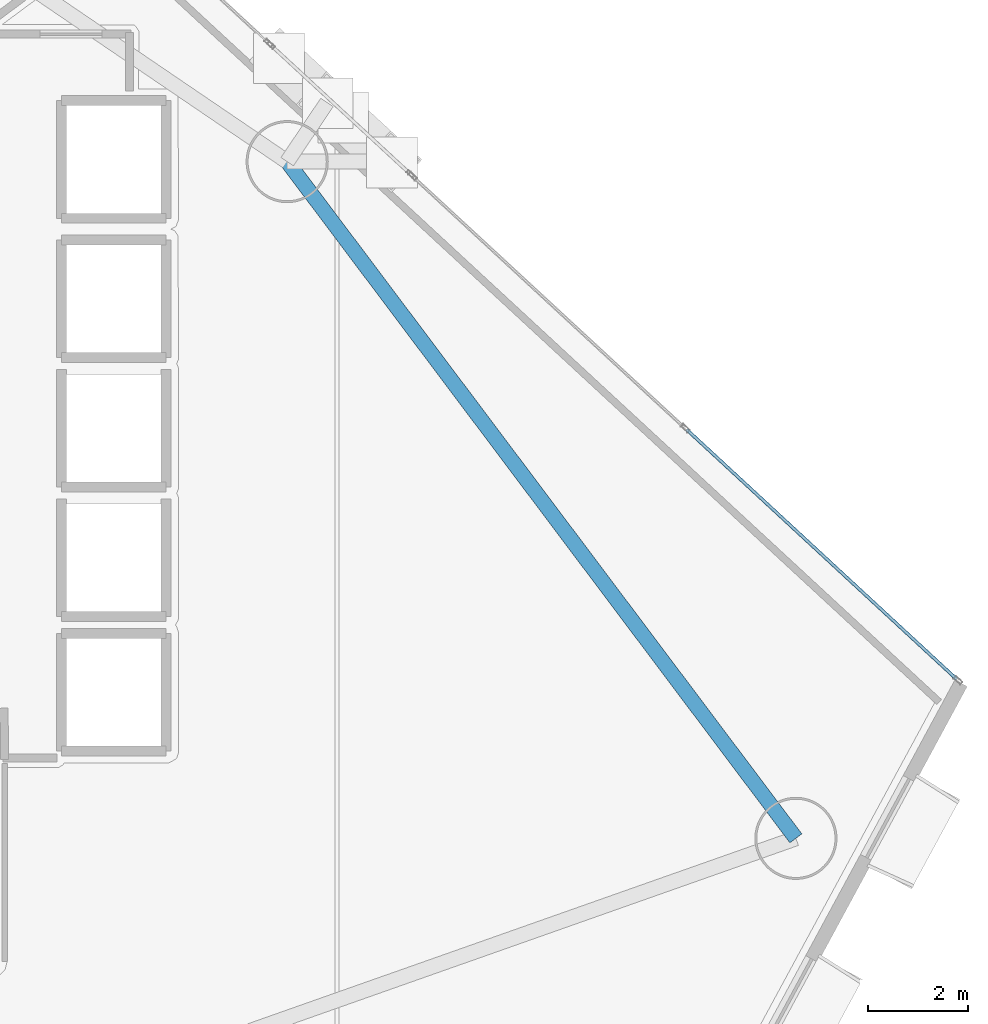
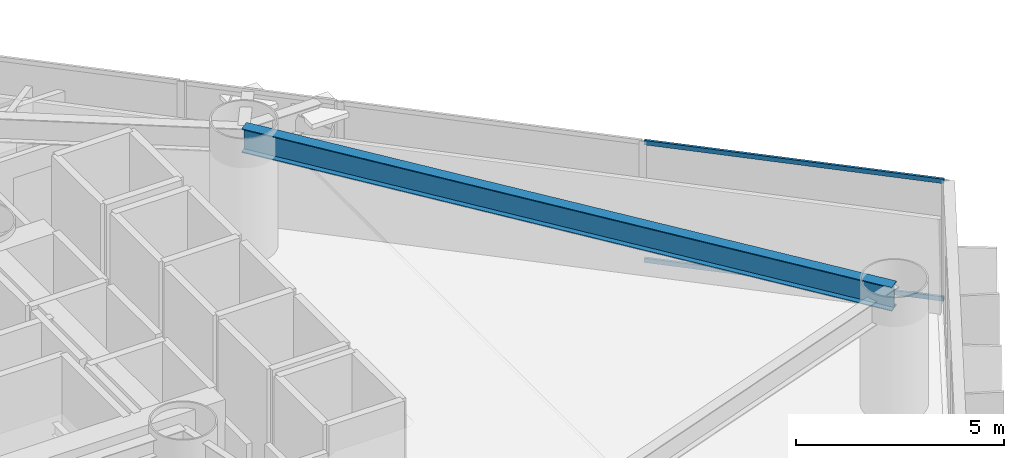
# One storey, part 14 of 23: 2 members, 1 beam, 1 element without a shape of its own.
"""IFC4 building model written with IfcOpenShell, lengths in metres."""

from ifc_helpers import new_model, si_unit, direction, frame, origin, origin_2d, place, context, subcontext, project, spatial, hollow_rectangle, i_section, extrude, material, layer, layer_set, material_profile, profile_set, type_object, element, aggregate, save


model = new_model("IFC4")

# Units and contexts
model_context = context("Model", 3, precision=1e-05, world=origin(), true_north=direction((0.0, 1.0)))
body_context = subcontext(model_context, "Body", "Model", "MODEL_VIEW")
ifc_project = project(units=[si_unit("LENGTHUNIT", "METRE"), si_unit("AREAUNIT", "SQUARE_METRE"), si_unit("VOLUMEUNIT", "CUBIC_METRE"), si_unit("PLANEANGLEUNIT", "RADIAN"), si_unit("MASSUNIT", "GRAM", prefix="KILO")], contexts=[model_context])

# Site, building, storey
site_placement = place(None, origin())
site = spatial("IfcSite", under=ifc_project, at=site_placement, CompositionType="ELEMENT")
building_placement = place(site_placement, origin())
building = spatial("IfcBuilding", under=site, at=building_placement, Name="Qianvela Tower", CompositionType="ELEMENT")
storey_placement = place(building_placement, frame((0.0, 0.0, 67.300048828125)))
storey = spatial("IfcBuildingStorey", under=building, at=storey_placement, Name="L16", CompositionType="ELEMENT", Elevation=67.300048828125)

# Beam
ifc_material_1 = material(Name="Steel Q355B", Category="steel")
ifc_material_profile_1 = material_profile(ifc_material_1, i_section(OverallWidth=0.300048828125, OverallDepth=0.699951171875, WebThickness=0.012939453125, FlangeThickness=0.02392578125, at=origin_2d()), Name="HN700x300x13x24")
ifc_profile_set_1 = profile_set([ifc_material_profile_1], Name="Steel Q355B")
beam_type = type_object("IfcBeamType", Name="BM-HN700-SPAND", PredefinedType="SPANDREL", material=ifc_profile_set_1)
beam_placement = place(storey_placement, frame((56.198974609375, 20.468017578125, 3.16796875), z_axis=(-0.600881979864, 0.799337754816, 0.0), x_axis=(-0.799337754816, -0.600881979864, 0.0)))
element("IfcBeam", 1, at=beam_placement, inside=storey, type_object=beam_type, Name="L16 Perimeter Ring Spandrel Girder 1", PredefinedType="SPANDREL", context=body_context, shape_type="SweptSolid", body=[
    extrude(i_section(OverallWidth=0.300048828125, OverallDepth=0.699951171875, WebThickness=0.012939453125, FlangeThickness=0.02392578125, at=origin_2d()), origin(), (0.0, 0.0, 1.0), 17.000244140625),
])

# Curtain wall, members
ifc_material_2 = material(Name="Anodised Architectural Aluminium and Low-E Glass", Category="aluminium")
ifc_layer = layer(ifc_material_2, 0.179931640625)
ifc_layer_set = layer_set([ifc_layer], Name="Anodised Architectural Aluminium and Low-E Glass")
curtain_wall_type = type_object("IfcCurtainWallType", Name="CW-COLIV-Z12", PredefinedType="USERDEFINED", material=ifc_layer_set)
curtain_wall_placement = place(storey_placement, origin())
curtain_wall = element("IfcCurtainWall", 2, at=curtain_wall_placement, inside=storey, type_object=curtain_wall_type, Name="L16 CW-COLIV-Z12 Curtain Wall 02A", ObjectType="CURTAIN_WALL_SYSTEM", PredefinedType="USERDEFINED")
ifc_material_3 = material(Name="Anodised Architectural Aluminium 6063-T6", Category="aluminium")
ifc_material_profile_2 = material_profile(ifc_material_3, hollow_rectangle(XDim=0.06494140625, YDim=0.1298828125, WallThickness=0.00439453125, at=origin_2d()), Name="ALU-TRAN-65x130")
ifc_profile_set_2 = profile_set([ifc_material_profile_2], Name="Anodised Architectural Aluminium 6063-T6")
member_type = type_object("IfcMemberType", Name="CW-COLIV-Z12-TRAN", PredefinedType="USERDEFINED", material=ifc_profile_set_2)
member_1_placement = place(storey_placement, frame((59.427490234375, 23.6650390625, 0.032470703125), z_axis=(-0.734267093586, 0.678860689153, 0.0), x_axis=(-0.678860689153, -0.734267093586, 0.0)))
member_1 = element("IfcMember", 3, at=member_1_placement, type_object=member_type, Name="CW-3 transom 1.1", ObjectType="TRANSOM", PredefinedType="USERDEFINED", context=body_context, shape_type="SweptSolid", body=[
    extrude(hollow_rectangle(XDim=0.06494140625, YDim=0.1298828125, WallThickness=0.00439453125, at=origin_2d()), origin(), (0.0, 0.0, 1.0), 7.385009765625),
])
member_2_placement = place(storey_placement, frame((59.427490234375, 23.6650390625, 3.487548828125), z_axis=(-0.734267093586, 0.678860689153, 0.0), x_axis=(-0.678860689153, -0.734267093586, 0.0)))
member_2 = element("IfcMember", 4, at=member_2_placement, type_object=member_type, Name="CW-3 transom 1.2", ObjectType="TRANSOM", PredefinedType="USERDEFINED", context=body_context, shape_type="SweptSolid", body=[
    extrude(hollow_rectangle(XDim=0.06494140625, YDim=0.1298828125, WallThickness=0.00439453125, at=origin_2d()), origin(), (0.0, 0.0, 1.0), 7.385009765625),
])
aggregate(curtain_wall, [member_1, member_2])

save(model, "model.ifc")
